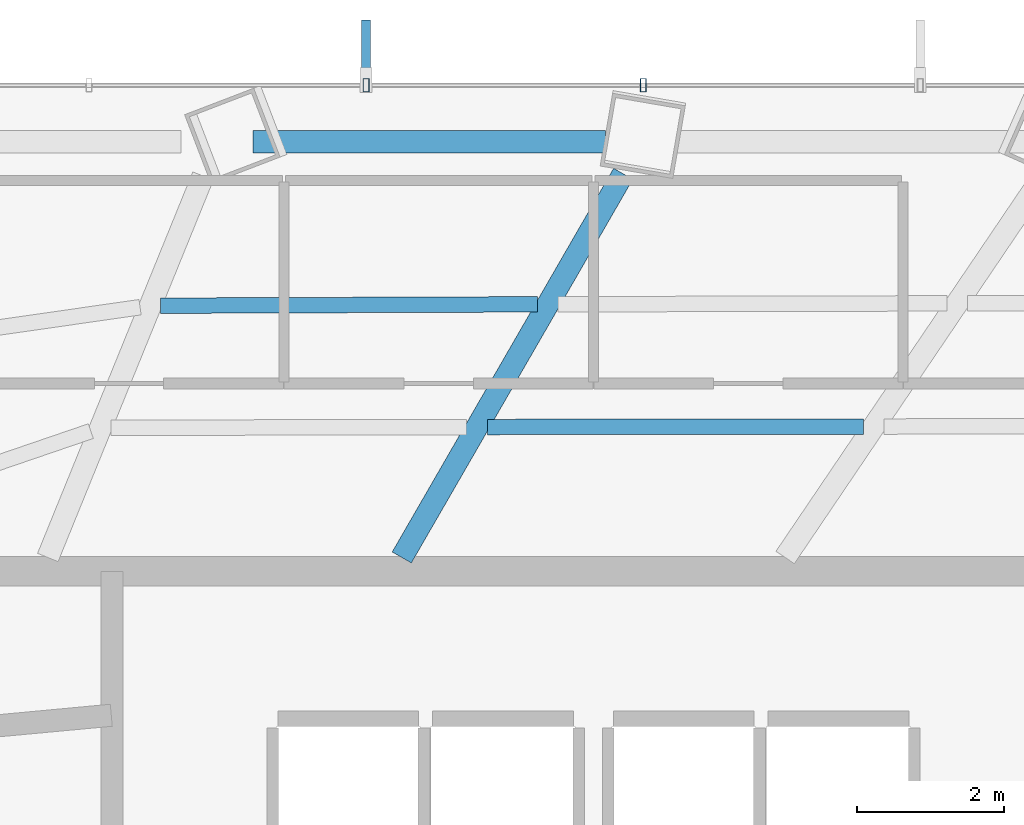
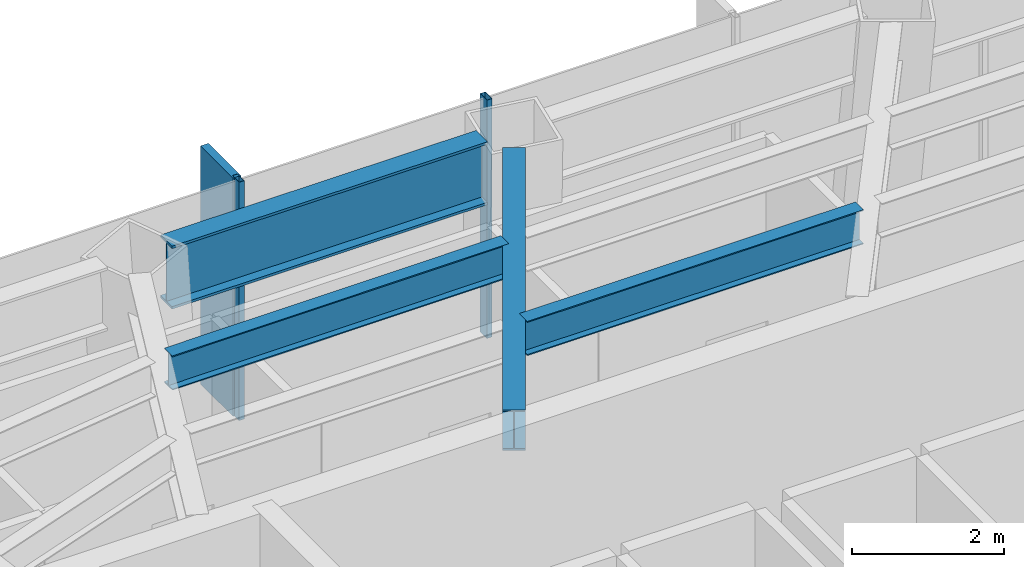
# One storey, part 15 of 27: 4 beams, 3 members, 1 element without a shape of its own.
"""IFC4 building model written with IfcOpenShell, lengths in metres."""

import ifcopenshell
import ifcopenshell.guid

model = None  # the IFC model being written
_history = None  # IfcOwnerHistory: only IFC2X3 demands one
_inside = {}  # id of a spatial element -> (the spatial element, [elements in it])
_under = {}  # id of a project, library or spatial element -> (it, [spatial elements below it])
_declared = {}  # id of a project -> (the project, [libraries it declares])
_typed = {}  # id of a type object -> (the type object, [elements of that type])
_made_of = {}  # id of a material, layer set ... -> (it, [elements and type objects made of it])


def new_model(schema):
    """Start an empty IFC model of exactly this schema.

    Asked for "IFC4X3", IfcOpenShell would pick the latest addendum, in which some entities
    have other attributes; the version numbers below select the first issue.
    IFC2X3 requires an IfcOwnerHistory on every rooted entity: one is made here for all.
    """
    global model, _history
    if schema == "IFC4X3":
        model = ifcopenshell.file(schema_version=(4, 3, 0, 0))
    else:
        model = ifcopenshell.file(schema=schema)
    _inside.clear()
    _under.clear()
    _declared.clear()
    _typed.clear()
    _made_of.clear()
    _history = None
    if model.schema == "IFC2X3":
        org = make("IfcOrganization", Name="unknown")
        user = make(
            "IfcPersonAndOrganization",
            ThePerson=make("IfcPerson", FamilyName="unknown"),
            TheOrganization=org,
        )
        app = make(
            "IfcApplication",
            ApplicationDeveloper=org,
            Version="unknown",
            ApplicationFullName="unknown",
            ApplicationIdentifier="unknown",
        )
        _history = make(
            "IfcOwnerHistory",
            OwningUser=user,
            OwningApplication=app,
            ChangeAction="ADDED",
            CreationDate=0,
        )
    return model


def make(cls, **values):
    """One entity of the class cls with the attributes given. An attribute that is None is left unset."""
    return model.create_entity(
        cls, **{name: value for name, value in values.items() if value is not None}
    )


def rooted(cls, **values):
    """An entity with a GlobalId (a new one), such as an element, a storey or a relation."""
    return make(cls, GlobalId=ifcopenshell.guid.new(), OwnerHistory=_history, **values)


def si_unit(unit_type, name, prefix=None):
    """IfcSIUnit, for example si_unit("LENGTHUNIT", "METRE", prefix="MILLI")."""
    return make("IfcSIUnit", UnitType=unit_type, Prefix=prefix, Name=name)


def assignment(units):
    """IfcUnitAssignment: the units of a project."""
    return None if units is None else make("IfcUnitAssignment", Units=units)


def point(xyz):
    """IfcCartesianPoint."""
    return None if xyz is None else make("IfcCartesianPoint", Coordinates=xyz)


def direction(xyz):
    """IfcDirection."""
    return None if xyz is None else make("IfcDirection", DirectionRatios=xyz)


def frame(location, z_axis=None, x_axis=None):
    """IfcAxis2Placement3D, a coordinate frame: its origin and axes. An axis left out is left unset."""
    return make(
        "IfcAxis2Placement3D",
        Location=point(location),
        Axis=direction(z_axis),
        RefDirection=direction(x_axis),
    )


def frame_2d(location, x_axis=None):
    """IfcAxis2Placement2D, a coordinate frame in the plane: its origin and x axis."""
    return make(
        "IfcAxis2Placement2D", Location=point(location), RefDirection=direction(x_axis)
    )


def origin():
    """The frame at (0, 0, 0) with its axes left unset."""
    return frame((0.0, 0.0, 0.0))


def origin_2d():
    """The frame at (0, 0) in the plane with its x axis left unset."""
    return frame_2d((0.0, 0.0))


def place(relative_to, where):
    """IfcLocalPlacement: puts the frame where relative to a parent placement (None: the world)."""
    return make(
        "IfcLocalPlacement", PlacementRelTo=relative_to, RelativePlacement=where
    )


def context(
    kind, dimensions, precision=None, world=None, true_north=None, identifier=None
):
    """IfcGeometricRepresentationContext, for example the 3D "Model" context."""
    return make(
        "IfcGeometricRepresentationContext",
        ContextIdentifier=identifier,
        ContextType=kind,
        CoordinateSpaceDimension=dimensions,
        Precision=precision,
        WorldCoordinateSystem=world,
        TrueNorth=true_north,
    )


def subcontext(parent, identifier, kind, view, scale=None):
    """IfcGeometricRepresentationSubContext, for example "Body" below "Model"."""
    return make(
        "IfcGeometricRepresentationSubContext",
        ContextIdentifier=identifier,
        ContextType=kind,
        ParentContext=parent,
        TargetScale=scale,
        TargetView=view,
    )


def project(units=None, contexts=None):
    """IfcProject with its units and contexts."""
    return rooted(
        "IfcProject",
        Name="project",
        RepresentationContexts=contexts,
        UnitsInContext=assignment(units),
    )


def spatial(cls, under=None, at=None, **own):
    """A site, building, storey or space (cls), placed at a placement, below another one or the project."""
    s = rooted(cls, ObjectPlacement=at, **own)
    if under is not None:
        _under.setdefault(under.id(), (under, []))[1].append(s)
    return s


def profile(cls, at=None, kind="AREA", **sizes):
    """A parametric profile (cls). Its sizes go by their IFC names, for example OverallWidth=200.0."""
    return make(cls, ProfileType=kind, Position=at, **sizes)


def rectangle(**sizes):
    """IfcRectangleProfileDef."""
    return profile("IfcRectangleProfileDef", **sizes)


def hollow_rectangle(**sizes):
    """IfcRectangleHollowProfileDef."""
    return profile("IfcRectangleHollowProfileDef", **sizes)


def i_section(**sizes):
    """IfcIShapeProfileDef."""
    return profile("IfcIShapeProfileDef", **sizes)


def extrude(swept, where, along, depth):
    """IfcExtrudedAreaSolid: the profile swept, set in the frame where, extruded along a direction by depth."""
    return make(
        "IfcExtrudedAreaSolid",
        SweptArea=swept,
        Position=where,
        ExtrudedDirection=direction(along),
        Depth=depth,
    )


def shape(context_of_items, identifier, shape_type, items):
    """IfcShapeRepresentation: the items that make up one representation, for example the "Body"."""
    return make(
        "IfcShapeRepresentation",
        ContextOfItems=context_of_items,
        RepresentationIdentifier=identifier,
        RepresentationType=shape_type,
        Items=items,
    )


def material(Name=None, Category=None):
    """IfcMaterial."""
    return make("IfcMaterial", Name=Name, Category=Category)


def layer(
    of_material, thickness, ventilated=None, Name=None, Category=None, Priority=None
):
    """IfcMaterialLayer: one layer of a wall or slab, of a material (None: an air gap)."""
    return make(
        "IfcMaterialLayer",
        Material=of_material,
        LayerThickness=thickness,
        IsVentilated=ventilated,
        Name=Name,
        Category=Category,
        Priority=Priority,
    )


def layer_set(layers, Name=None):
    """IfcMaterialLayerSet."""
    return make("IfcMaterialLayerSet", MaterialLayers=layers, LayerSetName=Name)


def material_profile(
    of_material, cross_section, Name=None, Category=None, Priority=None
):
    """IfcMaterialProfile: a cross section and its material."""
    return make(
        "IfcMaterialProfile",
        Name=Name,
        Material=of_material,
        Profile=cross_section,
        Priority=Priority,
        Category=Category,
    )


def profile_set(profiles, Name=None, composite=None):
    """IfcMaterialProfileSet."""
    return make(
        "IfcMaterialProfileSet",
        Name=Name,
        MaterialProfiles=profiles,
        CompositeProfile=composite,
    )


def made_of(thing, what):
    """Note that an element or type object is made of a material, layer set ...; save() writes the relation."""
    if what is not None:
        _made_of.setdefault(what.id(), (what, []))[1].append(thing)
    return thing


def type_object(cls, material=None, **own):
    """A type object (cls), such as IfcWallType, which elements share."""
    return made_of(rooted(cls, **own), material)


def element(
    cls,
    number,
    at=None,
    inside=None,
    cuts=None,
    type_object=None,
    material=None,
    context=None,
    identifier="Body",
    shape_type=None,
    held_by="IfcProductDefinitionShape",
    body=None,
    shapes=None,
    **own,
):
    """One element of the class cls, such as IfcWall. Its Tag is "e" and its number.

    at: its placement. inside: the storey or other place that contains it. cuts: it is an
    opening in that element (IfcRelVoidsElement). A single representation is given by context,
    identifier, shape_type and body (its items); several are given by shapes. held_by: the class
    of the entity that holds the representations. save() writes the other relations.
    """
    e = rooted(cls, Tag="e%d" % number, ObjectPlacement=at, **own)
    if body is not None:
        shapes = [shape(context, identifier, shape_type, body)]
    if shapes is not None:
        e.Representation = make(held_by, Representations=shapes)
    if inside is not None:
        _inside.setdefault(inside.id(), (inside, []))[1].append(e)
    if cuts is not None:
        rooted(
            "IfcRelVoidsElement", RelatingBuildingElement=cuts, RelatedOpeningElement=e
        )
    if type_object is not None:
        _typed.setdefault(type_object.id(), (type_object, []))[1].append(e)
    return made_of(e, material)


def aggregate(whole, parts):
    """IfcRelAggregates: a whole, such as a stair, and the parts it consists of."""
    return rooted("IfcRelAggregates", RelatingObject=whole, RelatedObjects=parts)


def save(model, path):
    """Write the relations noted so far, then the file.

    IfcRelAggregates (storeys below a building ...), IfcRelContainedInSpatialStructure (elements
    in a storey), IfcRelDefinesByType, IfcRelAssociatesMaterial and IfcRelDeclares: one each for
    every whole, place, type object, material and project.
    """
    for whole, parts in _under.values():
        aggregate(whole, parts)
    for where, things in _inside.values():
        rooted(
            "IfcRelContainedInSpatialStructure",
            RelatedElements=things,
            RelatingStructure=where,
        )
    for kind, things in _typed.values():
        rooted("IfcRelDefinesByType", RelatedObjects=things, RelatingType=kind)
    for what, things in _made_of.values():
        rooted("IfcRelAssociatesMaterial", RelatedObjects=things, RelatingMaterial=what)
    for by, libraries in _declared.values():
        rooted("IfcRelDeclares", RelatingContext=by, RelatedDefinitions=libraries)
    model.write(path)


model = new_model("IFC4")

# Units and contexts
model_context = context("Model", 3, precision=1e-05, world=origin(), true_north=direction((0.0, 1.0)))
body_context = subcontext(model_context, "Body", "Model", "MODEL_VIEW")
ifc_project = project(units=[si_unit("LENGTHUNIT", "METRE"), si_unit("AREAUNIT", "SQUARE_METRE"), si_unit("VOLUMEUNIT", "CUBIC_METRE"), si_unit("PLANEANGLEUNIT", "RADIAN"), si_unit("MASSUNIT", "GRAM", prefix="KILO")], contexts=[model_context])

# Site, building, storey
site_placement = place(None, origin())
site = spatial("IfcSite", under=ifc_project, at=site_placement, CompositionType="ELEMENT")
building_placement = place(site_placement, origin())
building = spatial("IfcBuilding", under=site, at=building_placement, Name="Zarrinselat Tower", CompositionType="ELEMENT")
storey_placement = place(building_placement, frame((0.0, 0.0, 47.93994140625)))
storey = spatial("IfcBuildingStorey", under=building, at=storey_placement, Name="L11", CompositionType="ELEMENT", Elevation=47.93994140625)

# Beams
ifc_material_1 = material(Name="Steel S355J2", Category="steel")
ifc_material_profile_1 = material_profile(ifc_material_1, i_section(OverallWidth=0.300048828125, OverallDepth=0.64990234375, WebThickness=0.01611328125, FlangeThickness=0.031005859375, at=origin_2d()), Name="HEB 650")
ifc_profile_set_1 = profile_set([ifc_material_profile_1], Name="Steel S355J2")
beam_type_1 = type_object("IfcBeamType", Name="BM-HEB650", PredefinedType="BEAM", material=ifc_profile_set_1)
beam_1_placement = place(storey_placement, frame((35.800048828125, 43.639892578125, 3.4951171875), z_axis=(0.49989365747, 0.866086791968, 0.0), x_axis=(-0.866086791968, 0.49989365747, 0.0)))
element("IfcBeam", 1, at=beam_1_placement, inside=storey, type_object=beam_type_1, Name="L11 Radial Primary Girder RG03", PredefinedType="BEAM", context=body_context, shape_type="SweptSolid", body=[
    extrude(i_section(OverallWidth=0.300048828125, OverallDepth=0.64990234375, WebThickness=0.01611328125, FlangeThickness=0.031005859375, at=origin_2d()), origin(), (0.0, 0.0, 1.0), 6.007568359375),
])
ifc_material_2 = material(Name="Steel S460M", Category="steel")
ifc_material_profile_2 = material_profile(ifc_material_2, i_section(OverallWidth=0.302001953125, OverallDepth=1.008056640625, WebThickness=0.02099609375, FlangeThickness=0.0400390625, at=origin_2d()), Name="HEM 1000")
ifc_profile_set_2 = profile_set([ifc_material_profile_2], Name="Steel S460M")
beam_type_2 = type_object("IfcBeamType", Name="BM-HEM1000", PredefinedType="BEAM", material=ifc_profile_set_2)
beam_2_placement = place(storey_placement, frame((33.782470703125, 49.27783203125, 3.316162109375), z_axis=(1.0, 0.0, 0.0), x_axis=(0.0, 1.0, 0.0)))
element("IfcBeam", 2, at=beam_2_placement, inside=storey, type_object=beam_type_2, Name="L11 Perimeter Spandrel Girder SP03", PredefinedType="BEAM", context=body_context, shape_type="SweptSolid", body=[
    extrude(i_section(OverallWidth=0.302001953125, OverallDepth=1.008056640625, WebThickness=0.02099609375, FlangeThickness=0.0400390625, at=origin_2d()), origin(), (0.0, 0.0, 1.0), 4.783935546875),
])
ifc_material_3 = material(Name="Steel S355J2", Category="steel")
ifc_material_profile_3 = material_profile(ifc_material_3, i_section(OverallWidth=0.2099609375, OverallDepth=0.550048828125, WebThickness=0.010986328125, FlangeThickness=0.01708984375, at=origin_2d()), Name="IPE 550")
ifc_profile_set_3 = profile_set([ifc_material_profile_3], Name="Steel S355J2")
beam_type_3 = type_object("IfcBeamType", Name="BM-IPE550", PredefinedType="JOIST", material=ifc_profile_set_3)
beam_3_placement = place(storey_placement, frame((36.961181640625, 45.4091796875, 3.545166015625), z_axis=(0.999999283902, 0.001196743997, 0.0), x_axis=(-0.001196743997, 0.999999283902, 0.0)))
element("IfcBeam", 3, at=beam_3_placement, inside=storey, type_object=beam_type_3, Name="L11 Composite Floor Joist 8-2", PredefinedType="JOIST", context=body_context, shape_type="SweptSolid", body=[
    extrude(i_section(OverallWidth=0.2099609375, OverallDepth=0.550048828125, WebThickness=0.010986328125, FlangeThickness=0.01708984375, at=origin_2d()), origin(), (0.0, 0.0, 1.0), 5.10009765625),
])
beam_4_placement = place(storey_placement, frame((32.529296875, 47.0546875, 3.545166015625), z_axis=(0.99999324056, 0.003676796845, 0.0), x_axis=(-0.003676796845, 0.99999324056, 0.0)))
element("IfcBeam", 4, at=beam_4_placement, inside=storey, type_object=beam_type_3, Name="L11 Composite Floor Joist 9-1", PredefinedType="JOIST", context=body_context, shape_type="SweptSolid", body=[
    extrude(i_section(OverallWidth=0.2099609375, OverallDepth=0.550048828125, WebThickness=0.010986328125, FlangeThickness=0.01708984375, at=origin_2d()), origin(), (0.0, 0.0, 1.0), 5.11279296875),
])

# Curtain wall, members
ifc_material_4 = material(Name="Extruded Aluminium Alloy EN AW-6063 T6", Category="aluminium")
ifc_layer = layer(ifc_material_4, 0.18505859375)
ifc_layer_set = layer_set([ifc_layer], Name="Extruded Aluminium Alloy EN AW-6063 T6")
curtain_wall_type = type_object("IfcCurtainWallType", Name="CWS-OFF", PredefinedType="NOTDEFINED", material=ifc_layer_set)
curtain_wall_placement = place(storey_placement, origin())
curtain_wall = element("IfcCurtainWall", 5, at=curtain_wall_placement, inside=storey, type_object=curtain_wall_type, Name="L11 Unitised Curtain Wall CW-L11-E01", PredefinedType="NOTDEFINED")
ifc_material_5 = material(Name="Extruded Aluminium Alloy EN AW-6063 T6", Category="aluminium")
ifc_material_profile_4 = material_profile(ifc_material_5, hollow_rectangle(XDim=0.080078125, YDim=0.179931640625, WallThickness=0.0048828125, at=origin_2d()), Name="RHS 180x80x5")
ifc_profile_set_4 = profile_set([ifc_material_profile_4], Name="Extruded Aluminium Alloy EN AW-6063 T6")
member_type_1 = type_object("IfcMemberType", Name="MEM-CW-MUL", PredefinedType="MULLION", material=ifc_profile_set_4)
member_1_placement = place(storey_placement, frame((39.07421875, 50.04443359375, 0.0), z_axis=(0.0, 0.0, 1.0), x_axis=(-1.0, 0.0, 0.0)))
member_1 = element("IfcMember", 6, at=member_1_placement, type_object=member_type_1, Name="CW-L11-E01 Mullion 4", PredefinedType="MULLION", context=body_context, shape_type="SweptSolid", body=[
    extrude(hollow_rectangle(XDim=0.080078125, YDim=0.179931640625, WallThickness=0.0048828125, at=origin_2d()), origin(), (0.0, 0.0, 1.0), 3.820068359375),
])
member_2_placement = place(storey_placement, frame((35.31591796875, 50.04443359375, 0.0), z_axis=(0.0, 0.0, 1.0), x_axis=(-1.0, 0.0, 0.0)))
member_2 = element("IfcMember", 7, at=member_2_placement, type_object=member_type_1, Name="CW-L11-E01 Mullion 5", PredefinedType="MULLION", context=body_context, shape_type="SweptSolid", body=[
    extrude(hollow_rectangle(XDim=0.080078125, YDim=0.179931640625, WallThickness=0.0048828125, at=origin_2d()), origin(), (0.0, 0.0, 1.0), 3.820068359375),
])
ifc_material_6 = material(Name="Honed Cream Travertine Stone", Category="masonry")
ifc_material_profile_5 = material_profile(ifc_material_6, rectangle(XDim=0.1201171875, YDim=0.85009765625, at=origin_2d()), Name="FIN 850x120")
ifc_profile_set_5 = profile_set([ifc_material_profile_5], Name="Honed Cream Travertine Stone")
member_type_2 = type_object("IfcMemberType", Name="MEM-STONE-FIN", PredefinedType="USERDEFINED", material=ifc_profile_set_5)
member_3_placement = place(storey_placement, frame((35.31591796875, 50.50439453125, 0.0), z_axis=(0.0, 0.0, 1.0), x_axis=(1.0, 0.0, 0.0)))
member_3 = element("IfcMember", 8, at=member_3_placement, type_object=member_type_2, Name="L11 Stone Shading Fin CW-L11-E01-05", ObjectType="FIN", PredefinedType="USERDEFINED", context=body_context, shape_type="SweptSolid", body=[
    extrude(rectangle(XDim=0.1201171875, YDim=0.85009765625, at=origin_2d()), origin(), (0.0, 0.0, 1.0), 3.820068359375),
])
aggregate(curtain_wall, [member_1, member_2, member_3])

save(model, "model.ifc")
